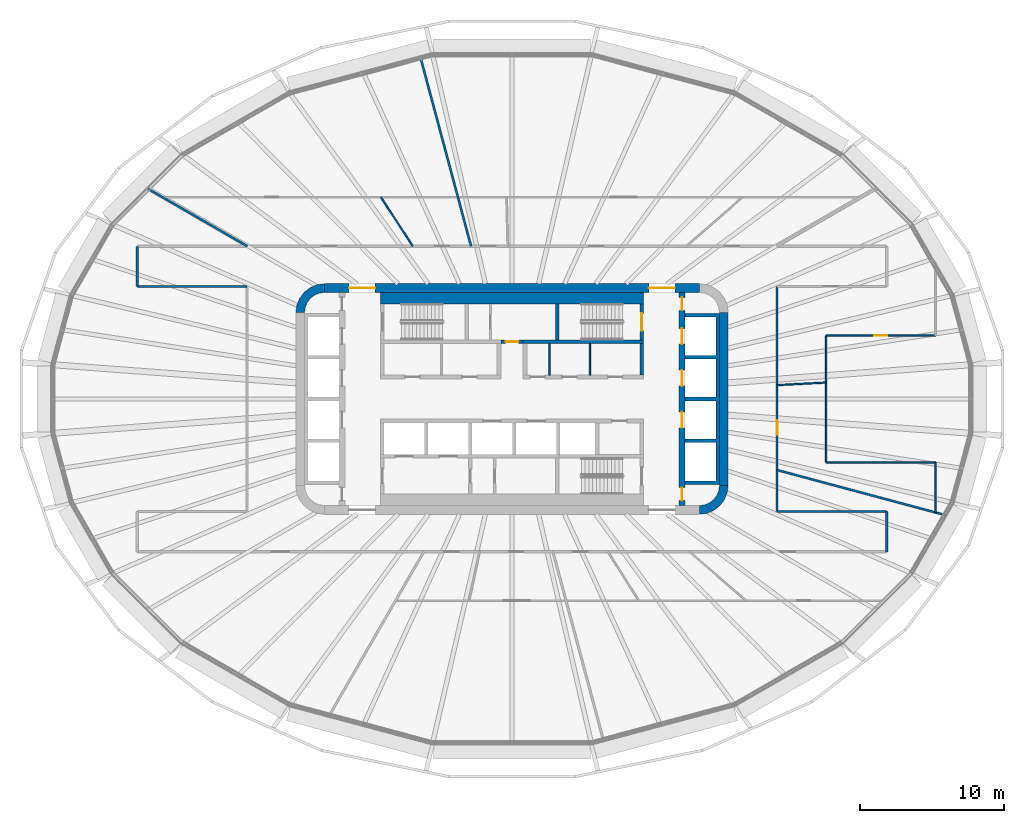
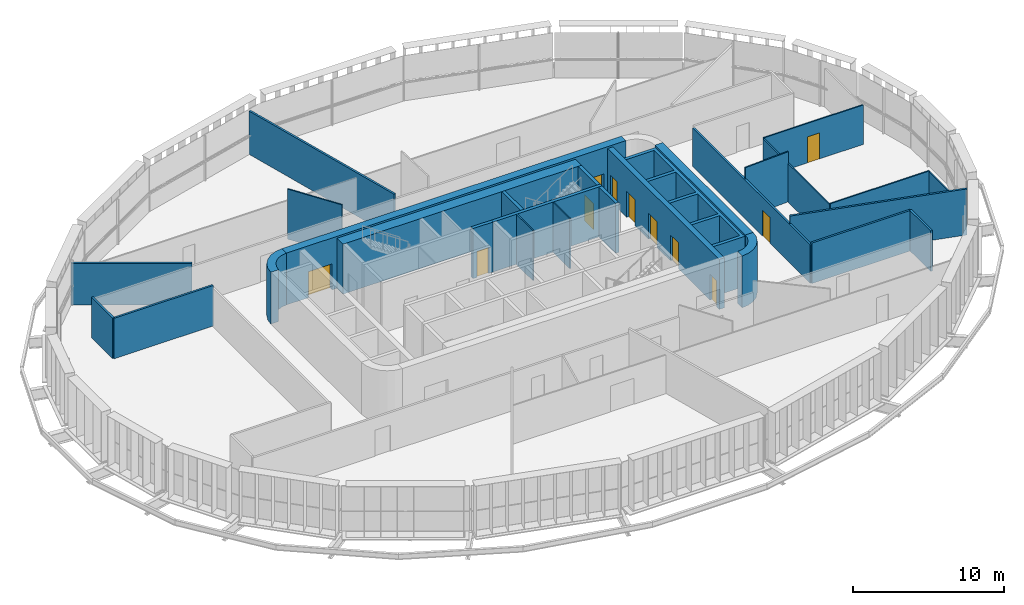
# One storey, part 16 of 25: 28 walls, 11 doors, 11 openings.
"""IFC4 building model written with IfcOpenShell, lengths in metres."""

from ifc_helpers import new_model, si_unit, direction, frame, frame_2d, origin, place, context, subcontext, project, spatial, polyline, rectangle, outline, extrude, material, layer, layer_set, type_object, element, fill, save


model = new_model("IFC4")

# Units and contexts
model_context = context("Model", 3, precision=1e-05, world=origin(), true_north=direction((0.0, 1.0)))
body_context = subcontext(model_context, "Body", "Model", "MODEL_VIEW")
ifc_project = project(units=[si_unit("LENGTHUNIT", "METRE"), si_unit("AREAUNIT", "SQUARE_METRE"), si_unit("VOLUMEUNIT", "CUBIC_METRE"), si_unit("PLANEANGLEUNIT", "RADIAN"), si_unit("MASSUNIT", "GRAM", prefix="KILO")], contexts=[model_context])

# Site, building, storey
site_placement = place(None, origin())
site = spatial("IfcSite", under=ifc_project, at=site_placement, CompositionType="ELEMENT")
building_placement = place(site_placement, origin())
building = spatial("IfcBuilding", under=site, at=building_placement, Name="Sahrelin Media Tower", CompositionType="ELEMENT")
storey_placement = place(building_placement, frame((0.0, 0.0, 106.199951171875)))
storey = spatial("IfcBuildingStorey", under=building, at=storey_placement, Name="L20", CompositionType="ELEMENT", Elevation=106.199951171875)

# Wall, openings, doors
ifc_material_1 = material(Name="Concrete C60/75", Category="concrete")
ifc_layer_1 = layer(ifc_material_1, 0.60009765625)
ifc_layer_set_1 = layer_set([ifc_layer_1], Name="Core wall 600")
wall_type_1 = type_object("IfcWallType", Name="Core wall 600", PredefinedType="SHEAR", material=ifc_layer_set_1)
wall_1_placement = place(storey_placement, frame((-13.0, 7.699951171875, 0.0), z_axis=(0.0, 0.0, 1.0), x_axis=(1.0, 0.0, 0.0)))
wall_1 = element("IfcWall", 1, at=wall_1_placement, inside=storey, type_object=wall_type_1, Name="Core wall N L20", PredefinedType="SHEAR", context=body_context, shape_type="SweptSolid", body=[
    extrude(rectangle(XDim=26.0, YDim=0.60009765625, at=frame_2d((13.0, 0.0))), origin(), (0.0, 0.0, 1.0), 4.199951171875),
])
opening_1_placement = place(wall_1_placement, frame((1.699951171875, 0.0, 0.0)))
opening_1 = element("IfcOpeningElement", 2, at=opening_1_placement, cuts=wall_1, Name="Opening L20-D19", PredefinedType="OPENING", context=body_context, shape_type="SweptSolid", body=[
    extrude(rectangle(XDim=1.800048828125, YDim=2.10009765625, at=frame_2d((0.89990234375, 1.050048828125))), frame((0.0, 0.300048828125, 0.0), z_axis=(0.0, -1.0, 0.0), x_axis=(1.0, 0.0, 0.0)), (0.0, 0.0, 1.0), 0.60009765625),
])
opening_2_placement = place(wall_1_placement, frame((22.5, 0.0, 0.0)))
opening_2 = element("IfcOpeningElement", 3, at=opening_2_placement, cuts=wall_1, Name="Opening L20-D20", PredefinedType="OPENING", context=body_context, shape_type="SweptSolid", body=[
    extrude(rectangle(XDim=1.800048828125, YDim=2.10009765625, at=frame_2d((0.89990234375, 1.050048828125))), frame((0.0, 0.300048828125, 0.0), z_axis=(0.0, -1.0, 0.0), x_axis=(1.0, 0.0, 0.0)), (0.0, 0.0, 1.0), 0.60009765625),
])
ifc_material_2 = material(Name="Steel fire door leaf", Category="steel")
door_type_1 = type_object("IfcDoorType", Name="Lobby double door 1800 x 2100 EI 60", OperationType="DOUBLE_DOOR_SINGLE_SWING", PredefinedType="DOOR", material=ifc_material_2)
door_1_placement = place(opening_1_placement, origin())
door_1 = element("IfcDoor", 4, at=door_1_placement, inside=storey, type_object=door_type_1, Name="Lobby door", OperationType="DOUBLE_DOOR_SINGLE_SWING", OverallHeight=2.10009765625, OverallWidth=1.800048828125, PredefinedType="DOOR", context=body_context, shape_type="SweptSolid", body=[
    extrude(rectangle(XDim=1.800048828125, YDim=2.10009765625, at=frame_2d((0.89990234375, 1.050048828125))), frame((0.0, 0.02490234375, 0.0), z_axis=(0.0, -1.0, 0.0), x_axis=(1.0, 0.0, 0.0)), (0.0, 0.0, 1.0), 0.050048828125),
])
fill(opening_1, door_1)
door_2_placement = place(opening_2_placement, origin())
door_2 = element("IfcDoor", 5, at=door_2_placement, inside=storey, type_object=door_type_1, Name="Lobby door", OperationType="DOUBLE_DOOR_SINGLE_SWING", OverallHeight=2.10009765625, OverallWidth=1.800048828125, PredefinedType="DOOR", context=body_context, shape_type="SweptSolid", body=[
    extrude(rectangle(XDim=1.800048828125, YDim=2.10009765625, at=frame_2d((0.89990234375, 1.050048828125))), frame((0.0, 0.02490234375, 0.0), z_axis=(0.0, -1.0, 0.0), x_axis=(1.0, 0.0, 0.0)), (0.0, 0.0, 1.0), 0.050048828125),
])
fill(opening_2, door_2)

# Walls
wall_2_placement = place(storey_placement, frame((14.699951171875, -6.0, 0.0), z_axis=(0.0, 0.0, 1.0), x_axis=(0.0, 1.0, 0.0)))
element("IfcWall", 6, at=wall_2_placement, inside=storey, type_object=wall_type_1, Name="Core wall E L20", PredefinedType="SHEAR", context=body_context, shape_type="SweptSolid", body=[
    extrude(rectangle(XDim=12.0, YDim=0.60009765625, at=frame_2d((6.0, 0.0))), origin(), (0.0, 0.0, 1.0), 4.199951171875),
])
placement = place(storey_placement, origin())
element("IfcWall", 7, at=placement, inside=storey, type_object=wall_type_1, Name="Core wall corner NW L20", PredefinedType="SHEAR", context=body_context, shape_type="SweptSolid", body=[
    extrude(outline(polyline([(-15.0, 6.0), (-14.394775390625, 6.0), (-14.347412109375, 6.361083984375), (-14.2080078125, 6.697509765625), (-13.986328125, 6.986328125), (-13.697509765625, 7.2080078125), (-13.361083984375, 7.347412109375), (-13.0, 7.394775390625), (-13.0, 8.0), (-13.517578125, 7.931884765625), (-14.0, 7.732177734375), (-14.414306640625, 7.414306640625), (-14.732177734375, 7.0), (-14.931884765625, 6.517578125), (-15.0, 6.0)])), origin(), (0.0, 0.0, 1.0), 4.199951171875),
])
element("IfcWall", 8, at=placement, inside=storey, type_object=wall_type_1, Name="Core wall corner SE L20", PredefinedType="SHEAR", context=body_context, shape_type="SweptSolid", body=[
    extrude(outline(polyline([(15.0, -6.0), (14.394775390625, -6.0), (14.347412109375, -6.361083984375), (14.2080078125, -6.697509765625), (13.986328125, -6.986328125), (13.697509765625, -7.2080078125), (13.361083984375, -7.347412109375), (13.0, -7.394775390625), (13.0, -8.0), (13.517578125, -7.931884765625), (14.0, -7.732177734375), (14.414306640625, -7.414306640625), (14.732177734375, -7.0), (14.931884765625, -6.517578125), (15.0, -6.0)])), origin(), (0.0, 0.0, 1.0), 4.199951171875),
])

# Wall, opening, door
ifc_material_3 = material(Name="Fire-rated gypsum board partition")
ifc_layer_2 = layer(ifc_material_3, 0.25)
ifc_layer_set_2 = layer_set([ifc_layer_2], Name="Fire-rated lobby wall 250")
wall_type_2 = type_object("IfcWallType", Name="Fire-rated lobby wall 250", PredefinedType="PARTITIONING", material=ifc_layer_set_2)
wall_5_placement = place(storey_placement, frame((-0.77490234375, 3.97509765625, 0.0), z_axis=(0.0, 0.0, 1.0), x_axis=(1.0, 0.0, 0.0)))
wall_5 = element("IfcWall", 9, at=wall_5_placement, inside=storey, type_object=wall_type_2, Name="Core lobby wall", PredefinedType="PARTITIONING", context=body_context, shape_type="SweptSolid", body=[
    extrude(rectangle(XDim=1.5498046875, YDim=0.25, at=frame_2d((0.77490234375, 0.0))), origin(), (0.0, 0.0, 1.0), 4.050048828125),
])
opening_3_placement = place(wall_5_placement, frame((0.324951171875, 0.0, 0.0)))
opening_3 = element("IfcOpeningElement", 10, at=opening_3_placement, cuts=wall_5, Name="Opening L20-D06", PredefinedType="OPENING", context=body_context, shape_type="SweptSolid", body=[
    extrude(rectangle(XDim=0.89990234375, YDim=2.10009765625, at=frame_2d((0.449951171875, 1.050048828125))), frame((0.0, 0.125, 0.0), z_axis=(0.0, -1.0, 0.0), x_axis=(1.0, 0.0, 0.0)), (0.0, 0.0, 1.0), 0.25),
])
door_type_2 = type_object("IfcDoorType", Name="Riser door 900 x 2100 EI 120", OperationType="NOTDEFINED", PredefinedType="DOOR", material=ifc_material_2)
door_3_placement = place(opening_3_placement, origin())
door_3 = element("IfcDoor", 11, at=door_3_placement, inside=storey, type_object=door_type_2, Name="Core room door", OperationType="SINGLE_SWING_LEFT", OverallHeight=2.10009765625, OverallWidth=0.89990234375, PredefinedType="DOOR", context=body_context, shape_type="SweptSolid", body=[
    extrude(rectangle(XDim=0.89990234375, YDim=2.10009765625, at=frame_2d((0.449951171875, 1.050048828125))), frame((0.0, 0.02490234375, 0.0), z_axis=(0.0, -1.0, 0.0), x_axis=(1.0, 0.0, 0.0)), (0.0, 0.0, 1.0), 0.050048828125),
])
fill(opening_3, door_3)

# Walls
wall_6_placement = place(storey_placement, frame((9.0, 1.64990234375, 0.0), z_axis=(0.0, 0.0, 1.0), x_axis=(0.0, 1.0, 0.0)))
element("IfcWall", 12, at=wall_6_placement, inside=storey, type_object=wall_type_2, Name="Core lobby wall", PredefinedType="PARTITIONING", context=body_context, shape_type="SweptSolid", body=[
    extrude(rectangle(XDim=2.2001953125, YDim=0.25, at=frame_2d((1.10009765625, 0.0))), origin(), (0.0, 0.0, 1.0), 4.050048828125),
])
ifc_layer_3 = layer(ifc_material_3, 0.10009765625)
ifc_layer_set_3 = layer_set([ifc_layer_3], Name="Fire-rated partition 100")
wall_type_3 = type_object("IfcWallType", Name="Fire-rated partition 100", PredefinedType="PARTITIONING", material=ifc_layer_set_3)
for number, where, z_axis, x_axis, name in (
    (13, (2.60009765625, 1.64990234375, 0.0), (0.0, 0.0, 1.0), (0.0, 1.0, 0.0), "Core room partition"),
    (14, (5.39990234375, 1.64990234375, 0.0), (0.0, 0.0, 1.0), (0.0, 1.0, 0.0), "Core room partition"),
):
    element("IfcWall", number, at=place(storey_placement, frame(where, z_axis=z_axis, x_axis=x_axis)), inside=storey, type_object=wall_type_3, Name=name, PredefinedType="PARTITIONING", context=body_context, shape_type="SweptSolid", body=[
        extrude(rectangle(XDim=2.2001953125, YDim=0.10009765625, at=frame_2d((1.10009765625, 0.0))), origin(), (0.0, 0.0, 1.0), 4.050048828125),
    ])
ifc_layer_4 = layer(ifc_material_3, 0.14990234375)
ifc_layer_set_4 = layer_set([ifc_layer_4], Name="Fire-rated partition 150")
wall_type_4 = type_object("IfcWallType", Name="Fire-rated partition 150", PredefinedType="PARTITIONING", material=ifc_layer_set_4)
wall_7_placement = place(storey_placement, frame((-6.364990234375, 23.75390625, 0.0), z_axis=(0.0, 0.0, 1.0), x_axis=(0.258843021616, -0.965919401483, 0.0)))
element("IfcWall", 15, at=wall_7_placement, inside=storey, type_object=wall_type_4, Name="Wall", PredefinedType="PARTITIONING", context=body_context, shape_type="SweptSolid", body=[
    extrude(rectangle(XDim=13.617919921875, YDim=0.14990234375, at=frame_2d((6.80908203125, 0.0))), origin(), (0.0, 0.0, 1.0), 3.501708984375),
])
wall_8_placement = place(storey_placement, frame((-25.322021484375, 14.618896484375, 0.0), z_axis=(0.0, 0.0, 1.0), x_axis=(0.866017655369, -0.500013420409, 0.0)))
element("IfcWall", 16, at=wall_8_placement, inside=storey, type_object=wall_type_4, Name="Wall", PredefinedType="PARTITIONING", context=body_context, shape_type="SweptSolid", body=[
    extrude(rectangle(XDim=8.037841796875, YDim=0.14990234375, at=frame_2d((4.01904296875, 0.0))), origin(), (0.0, 0.0, 1.0), 3.352294921875),
])
wall_9_placement = place(storey_placement, frame((18.39990234375, -4.929931640625, 0.0), z_axis=(0.0, 0.0, 1.0), x_axis=(0.965910063501, -0.258877865465, 0.0)))
element("IfcWall", 17, at=wall_9_placement, inside=storey, type_object=wall_type_4, Name="Wall", PredefinedType="PARTITIONING", context=body_context, shape_type="SweptSolid", body=[
    extrude(rectangle(XDim=12.164794921875, YDim=0.14990234375, at=frame_2d((6.08251953125, 0.0))), origin(), (0.0, 0.0, 1.0), 3.7265625),
])
for number, where, z_axis, x_axis, name in (
    (18, (18.39990234375, -7.800048828125, 0.0), (0.0, 0.0, 1.0), (1.0, 0.0, 0.0), "Wall"),
    (19, (-26.0, 7.800048828125, 0.0), (0.0, 0.0, 1.0), (1.0, 0.0, 0.0), "Wall"),
):
    element("IfcWall", number, at=place(storey_placement, frame(where, z_axis=z_axis, x_axis=x_axis)), inside=storey, type_object=wall_type_4, Name=name, PredefinedType="PARTITIONING", context=body_context, shape_type="SweptSolid", body=[
        extrude(rectangle(XDim=7.60009765625, YDim=0.14990234375, at=frame_2d((3.800048828125, 0.0))), origin(), (0.0, 0.0, 1.0), 3.276123046875),
    ])
wall_10_placement = place(storey_placement, frame((26.0, -10.60009765625, 0.0), z_axis=(0.0, 0.0, 1.0), x_axis=(0.0, 1.0, 0.0)))
element("IfcWall", 20, at=wall_10_placement, inside=storey, type_object=wall_type_4, Name="Wall", PredefinedType="PARTITIONING", context=body_context, shape_type="SweptSolid", body=[
    extrude(rectangle(XDim=2.800048828125, YDim=0.14990234375, at=frame_2d((1.39990234375, 0.0))), origin(), (0.0, 0.0, 1.0), 3.276123046875),
])

# Wall, opening, door
wall_11_placement = place(storey_placement, frame((18.39990234375, -7.800048828125, 0.0), z_axis=(0.0, 0.0, 1.0), x_axis=(0.0, 1.0, 0.0)))
wall_11 = element("IfcWall", 21, at=wall_11_placement, inside=storey, type_object=wall_type_4, Name="Wall", PredefinedType="PARTITIONING", context=body_context, shape_type="SweptSolid", body=[
    extrude(rectangle(XDim=15.60009765625, YDim=0.14990234375, at=frame_2d((7.800048828125, 0.0))), origin(), (0.0, 0.0, 1.0), 3.1181640625),
])
opening_4_placement = place(wall_11_placement, frame((5.31689453125, 0.0, 0.0)))
opening_4 = element("IfcOpeningElement", 22, at=opening_4_placement, cuts=wall_11, Name="Opening L20-D38", PredefinedType="OPENING", context=body_context, shape_type="SweptSolid", body=[
    extrude(rectangle(XDim=1.0, YDim=2.10009765625, at=frame_2d((0.5, 1.050048828125))), frame((0.0, 0.074951171875, 0.0), z_axis=(0.0, -1.0, 0.0), x_axis=(1.0, 0.0, 0.0)), (0.0, 0.0, 1.0), 0.14990234375),
])
door_type_3 = type_object("IfcDoorType", Name="Fire door 1000 x 2100 EI 60", OperationType="NOTDEFINED", PredefinedType="DOOR", material=ifc_material_2)
door_4_placement = place(opening_4_placement, origin())
door_4 = element("IfcDoor", 23, at=door_4_placement, inside=storey, type_object=door_type_3, Name="Fire door", OperationType="SINGLE_SWING_RIGHT", OverallHeight=2.10009765625, OverallWidth=1.0, PredefinedType="DOOR", context=body_context, shape_type="SweptSolid", body=[
    extrude(rectangle(XDim=1.0, YDim=2.10009765625, at=frame_2d((0.5, 1.050048828125))), frame((0.0, 0.02490234375, 0.0), z_axis=(0.0, -1.0, 0.0), x_axis=(1.0, 0.0, 0.0)), (0.0, 0.0, 1.0), 0.050048828125),
])
fill(opening_4, door_4)

# Walls
wall_12_placement = place(storey_placement, frame((-26.0, 7.800048828125, 0.0), z_axis=(0.0, 0.0, 1.0), x_axis=(0.0, 1.0, 0.0)))
element("IfcWall", 24, at=wall_12_placement, inside=storey, type_object=wall_type_4, Name="Wall", PredefinedType="PARTITIONING", context=body_context, shape_type="SweptSolid", body=[
    extrude(rectangle(XDim=2.800048828125, YDim=0.14990234375, at=frame_2d((1.39990234375, 0.0))), origin(), (0.0, 0.0, 1.0), 3.276123046875),
])
ifc_layer_5 = layer(ifc_material_1, 0.25)
ifc_layer_set_5 = layer_set([ifc_layer_5], Name="Lift shaft wall 250")
wall_type_5 = type_object("IfcWallType", Name="Lift shaft wall 250", PredefinedType="SOLIDWALL", material=ifc_layer_set_5)
element("IfcWall", 25, at=placement, inside=storey, type_object=wall_type_5, Name="Lift shaft wall", PredefinedType="SOLIDWALL", context=body_context, shape_type="SweptSolid", body=[
    extrude(outline(polyline([(12.0, -5.675048828125), (12.0, -5.925048828125), (14.14990234375, -5.925048828125), (14.39990234375, -5.925048828125), (14.39990234375, -5.675048828125), (14.39990234375, -3.02490234375), (14.39990234375, -2.77490234375), (14.39990234375, -0.125), (14.39990234375, 0.125), (14.39990234375, 2.77490234375), (14.39990234375, 3.02490234375), (14.39990234375, 5.675048828125), (14.39990234375, 5.925048828125), (14.14990234375, 5.925048828125), (12.0, 5.925048828125), (12.0, 5.675048828125), (14.14990234375, 5.675048828125), (14.14990234375, 3.02490234375), (12.0, 3.02490234375), (12.0, 2.77490234375), (14.14990234375, 2.77490234375), (14.14990234375, 0.125), (12.0, 0.125), (12.0, -0.125), (14.14990234375, -0.125), (14.14990234375, -2.77490234375), (12.0, -2.77490234375), (12.0, -3.02490234375), (14.14990234375, -3.02490234375), (14.14990234375, -5.675048828125), (12.0, -5.675048828125)])), origin(), (0.0, 0.0, 1.0), 4.050048828125),
])

# Wall, openings, doors
ifc_layer_6 = layer(ifc_material_1, 0.39990234375)
ifc_layer_set_6 = layer_set([ifc_layer_6], Name="Lift shaft wall 400")
wall_type_6 = type_object("IfcWallType", Name="Lift shaft wall 400", PredefinedType="SOLIDWALL", material=ifc_layer_set_6)
wall_14_placement = place(storey_placement, frame((11.800048828125, -7.39990234375, 0.0), z_axis=(0.0, 0.0, 1.0), x_axis=(0.0, 1.0, 0.0)))
wall_14 = element("IfcWall", 26, at=wall_14_placement, inside=storey, type_object=wall_type_6, Name="Lift shaft wall", PredefinedType="SOLIDWALL", context=body_context, shape_type="SweptSolid", body=[
    extrude(rectangle(XDim=14.7998046875, YDim=0.39990234375, at=frame_2d((7.39990234375, 0.0))), origin(), (0.0, 0.0, 1.0), 4.050048828125),
])
opening_5_placement = place(wall_14_placement, frame((11.199951171875, 0.0, 0.0)))
opening_5 = element("IfcOpeningElement", 27, at=opening_5_placement, cuts=wall_14, Name="Opening L20-LD-LR4", PredefinedType="OPENING", context=body_context, shape_type="SweptSolid", body=[
    extrude(rectangle(XDim=1.10009765625, YDim=2.10009765625, at=frame_2d((0.550048828125, 1.050048828125))), frame((0.0, 0.199951171875, 0.0), z_axis=(0.0, -1.0, 0.0), x_axis=(1.0, 0.0, 0.0)), (0.0, 0.0, 1.0), 0.39990234375),
])
opening_6_placement = place(wall_14_placement, frame((8.300048828125, 0.0, 0.0)))
opening_6 = element("IfcOpeningElement", 28, at=opening_6_placement, cuts=wall_14, Name="Opening L20-LD-LR5", PredefinedType="OPENING", context=body_context, shape_type="SweptSolid", body=[
    extrude(rectangle(XDim=1.10009765625, YDim=2.10009765625, at=frame_2d((0.550048828125, 1.050048828125))), frame((0.0, 0.199951171875, 0.0), z_axis=(0.0, -1.0, 0.0), x_axis=(1.0, 0.0, 0.0)), (0.0, 0.0, 1.0), 0.39990234375),
])
opening_7_placement = place(wall_14_placement, frame((5.39990234375, 0.0, 0.0)))
opening_7 = element("IfcOpeningElement", 29, at=opening_7_placement, cuts=wall_14, Name="Opening L20-LD-LR6", PredefinedType="OPENING", context=body_context, shape_type="SweptSolid", body=[
    extrude(rectangle(XDim=1.10009765625, YDim=2.10009765625, at=frame_2d((0.550048828125, 1.050048828125))), frame((0.0, 0.199951171875, 0.0), z_axis=(0.0, -1.0, 0.0), x_axis=(1.0, 0.0, 0.0)), (0.0, 0.0, 1.0), 0.39990234375),
])
opening_8_placement = place(wall_14_placement, frame((13.552490234375, 0.0, 0.0)))
opening_8 = element("IfcOpeningElement", 30, at=opening_8_placement, cuts=wall_14, Name="Opening L20-D17", PredefinedType="OPENING", context=body_context, shape_type="SweptSolid", body=[
    extrude(rectangle(XDim=0.89990234375, YDim=2.10009765625, at=frame_2d((0.449951171875, 1.050048828125))), frame((0.0, 0.199951171875, 0.0), z_axis=(0.0, -1.0, 0.0), x_axis=(1.0, 0.0, 0.0)), (0.0, 0.0, 1.0), 0.39990234375),
])
opening_9_placement = place(wall_14_placement, frame((0.347412109375, 0.0, 0.0)))
opening_9 = element("IfcOpeningElement", 31, at=opening_9_placement, cuts=wall_14, Name="Opening L20-D18", PredefinedType="OPENING", context=body_context, shape_type="SweptSolid", body=[
    extrude(rectangle(XDim=0.89990234375, YDim=2.10009765625, at=frame_2d((0.449951171875, 1.050048828125))), frame((0.0, 0.199951171875, 0.0), z_axis=(0.0, -1.0, 0.0), x_axis=(1.0, 0.0, 0.0)), (0.0, 0.0, 1.0), 0.39990234375),
])
ifc_material_4 = material(Name="Stainless steel", Category="steel")
door_type_4 = type_object("IfcDoorType", Name="Lift landing door 1100 x 2100 EI 120", OperationType="DOUBLE_DOOR_SLIDING", PredefinedType="DOOR", material=ifc_material_4)
door_5_placement = place(opening_5_placement, origin())
door_5 = element("IfcDoor", 32, at=door_5_placement, inside=storey, type_object=door_type_4, Name="Lift landing door LR4", OperationType="DOUBLE_DOOR_SLIDING", OverallHeight=2.10009765625, OverallWidth=1.10009765625, PredefinedType="DOOR", context=body_context, shape_type="SweptSolid", body=[
    extrude(rectangle(XDim=1.10009765625, YDim=2.10009765625, at=frame_2d((0.550048828125, 1.050048828125))), frame((0.0, 0.02490234375, 0.0), z_axis=(0.0, -1.0, 0.0), x_axis=(1.0, 0.0, 0.0)), (0.0, 0.0, 1.0), 0.050048828125),
])
fill(opening_5, door_5)
door_6_placement = place(opening_6_placement, origin())
door_6 = element("IfcDoor", 33, at=door_6_placement, inside=storey, type_object=door_type_4, Name="Lift landing door LR5", OperationType="DOUBLE_DOOR_SLIDING", OverallHeight=2.10009765625, OverallWidth=1.10009765625, PredefinedType="DOOR", context=body_context, shape_type="SweptSolid", body=[
    extrude(rectangle(XDim=1.10009765625, YDim=2.10009765625, at=frame_2d((0.550048828125, 1.050048828125))), frame((0.0, 0.02490234375, 0.0), z_axis=(0.0, -1.0, 0.0), x_axis=(1.0, 0.0, 0.0)), (0.0, 0.0, 1.0), 0.050048828125),
])
fill(opening_6, door_6)
door_7_placement = place(opening_7_placement, origin())
door_7 = element("IfcDoor", 34, at=door_7_placement, inside=storey, type_object=door_type_4, Name="Lift landing door LR6", OperationType="DOUBLE_DOOR_SLIDING", OverallHeight=2.10009765625, OverallWidth=1.10009765625, PredefinedType="DOOR", context=body_context, shape_type="SweptSolid", body=[
    extrude(rectangle(XDim=1.10009765625, YDim=2.10009765625, at=frame_2d((0.550048828125, 1.050048828125))), frame((0.0, 0.02490234375, 0.0), z_axis=(0.0, -1.0, 0.0), x_axis=(1.0, 0.0, 0.0)), (0.0, 0.0, 1.0), 0.050048828125),
])
fill(opening_7, door_7)
door_8_placement = place(opening_8_placement, origin())
door_8 = element("IfcDoor", 35, at=door_8_placement, inside=storey, type_object=door_type_2, Name="Riser door", OperationType="SINGLE_SWING_RIGHT", OverallHeight=2.10009765625, OverallWidth=0.89990234375, PredefinedType="DOOR", context=body_context, shape_type="SweptSolid", body=[
    extrude(rectangle(XDim=0.89990234375, YDim=2.10009765625, at=frame_2d((0.449951171875, 1.050048828125))), frame((0.0, 0.02490234375, 0.0), z_axis=(0.0, -1.0, 0.0), x_axis=(1.0, 0.0, 0.0)), (0.0, 0.0, 1.0), 0.050048828125),
])
fill(opening_8, door_8)
door_9_placement = place(opening_9_placement, origin())
door_9 = element("IfcDoor", 36, at=door_9_placement, inside=storey, type_object=door_type_2, Name="Riser door", OperationType="SINGLE_SWING_RIGHT", OverallHeight=2.10009765625, OverallWidth=0.89990234375, PredefinedType="DOOR", context=body_context, shape_type="SweptSolid", body=[
    extrude(rectangle(XDim=0.89990234375, YDim=2.10009765625, at=frame_2d((0.449951171875, 1.050048828125))), frame((0.0, 0.02490234375, 0.0), z_axis=(0.0, -1.0, 0.0), x_axis=(1.0, 0.0, 0.0)), (0.0, 0.0, 1.0), 0.050048828125),
])
fill(opening_9, door_9)

# Walls
ifc_material_5 = material(Name="Gypsum board partition")
ifc_layer_7 = layer(ifc_material_5, 0.10009765625)
ifc_layer_set_7 = layer_set([ifc_layer_7], Name="Partition 100")
wall_type_7 = type_object("IfcWallType", Name="Partition 100", PredefinedType="PARTITIONING", material=ifc_layer_set_7)
wall_15_placement = place(storey_placement, frame((-9.092041015625, 14.0, 0.0), z_axis=(0.0, 0.0, 1.0), x_axis=(0.54465385443, -0.838660943918, 0.0)))
element("IfcWall", 37, at=wall_15_placement, inside=storey, type_object=wall_type_7, Name="Wall", PredefinedType="PARTITIONING", context=body_context, shape_type="SweptSolid", body=[
    extrude(rectangle(XDim=4.053955078125, YDim=0.10009765625, at=frame_2d((2.02685546875, 0.0))), origin(), (0.0, 0.0, 1.0), 4.050048828125),
])
wall_16_placement = place(storey_placement, frame((21.800048828125, -4.39990234375, 0.0), z_axis=(0.0, 0.0, 1.0), x_axis=(1.0, 0.0, 0.0)))
element("IfcWall", 38, at=wall_16_placement, inside=storey, type_object=wall_type_7, Name="Wall", PredefinedType="PARTITIONING", context=body_context, shape_type="SweptSolid", body=[
    extrude(rectangle(XDim=7.599853515625, YDim=0.10009765625, at=frame_2d((3.7998046875, 0.0))), origin(), (0.0, 0.0, 1.0), 3.195068359375),
])

# Wall, opening, door
wall_17_placement = place(storey_placement, frame((21.800048828125, 4.39990234375, 0.0), z_axis=(0.0, 0.0, 1.0), x_axis=(1.0, 0.0, 0.0)))
wall_17 = element("IfcWall", 39, at=wall_17_placement, inside=storey, type_object=wall_type_7, Name="Wall", PredefinedType="PARTITIONING", context=body_context, shape_type="SweptSolid", body=[
    extrude(rectangle(XDim=7.599853515625, YDim=0.10009765625, at=frame_2d((3.7998046875, 0.0))), origin(), (0.0, 0.0, 1.0), 3.195068359375),
])
opening_10_placement = place(wall_17_placement, frame((3.35009765625, 0.0, 0.0)))
opening_10 = element("IfcOpeningElement", 40, at=opening_10_placement, cuts=wall_17, Name="Opening L20-D40", PredefinedType="OPENING", context=body_context, shape_type="SweptSolid", body=[
    extrude(rectangle(XDim=0.89990234375, YDim=2.10009765625, at=frame_2d((0.449951171875, 1.050048828125))), frame((0.0, 0.050048828125, 0.0), z_axis=(0.0, -1.0, 0.0), x_axis=(1.0, 0.0, 0.0)), (0.0, 0.0, 1.0), 0.10009765625),
])
ifc_material_6 = material(Name="Timber door leaf", Category="wood")
door_type_5 = type_object("IfcDoorType", Name="Single door 900 x 2100", OperationType="NOTDEFINED", PredefinedType="DOOR", material=ifc_material_6)
door_10_placement = place(opening_10_placement, origin())
door_10 = element("IfcDoor", 41, at=door_10_placement, inside=storey, type_object=door_type_5, Name="Single door", OperationType="SINGLE_SWING_RIGHT", OverallHeight=2.10009765625, OverallWidth=0.89990234375, PredefinedType="DOOR", context=body_context, shape_type="SweptSolid", body=[
    extrude(rectangle(XDim=0.89990234375, YDim=2.10009765625, at=frame_2d((0.449951171875, 1.050048828125))), frame((0.0, 0.02490234375, 0.0), z_axis=(0.0, -1.0, 0.0), x_axis=(1.0, 0.0, 0.0)), (0.0, 0.0, 1.0), 0.050048828125),
])
fill(opening_10, door_10)

# Walls
wall_18_placement = place(storey_placement, frame((18.39990234375, 0.964111328125, 0.0), z_axis=(0.0, 0.0, 1.0), x_axis=(0.998632842418, 0.052272804058, 0.0)))
element("IfcWall", 42, at=wall_18_placement, inside=storey, type_object=wall_type_7, Name="Wall", PredefinedType="PARTITIONING", context=body_context, shape_type="SweptSolid", body=[
    extrude(rectangle(XDim=3.40478515625, YDim=0.10009765625, at=frame_2d((1.702392578125, 0.0))), origin(), (0.0, 0.0, 1.0), 4.050048828125),
])
wall_19_placement = place(storey_placement, frame((29.39990234375, -7.8779296875, 0.0), z_axis=(0.0, 0.0, 1.0), x_axis=(0.0, 1.0, 0.0)))
element("IfcWall", 43, at=wall_19_placement, inside=storey, type_object=wall_type_7, Name="Wall", PredefinedType="PARTITIONING", context=body_context, shape_type="SweptSolid", body=[
    extrude(rectangle(XDim=3.47802734375, YDim=0.10009765625, at=frame_2d((1.739013671875, 0.0))), origin(), (0.0, 0.0, 1.0), 3.126953125),
])
wall_20_placement = place(storey_placement, frame((21.800048828125, -4.39990234375, 0.0), z_axis=(0.0, 0.0, 1.0), x_axis=(0.0, 1.0, 0.0)))
element("IfcWall", 44, at=wall_20_placement, inside=storey, type_object=wall_type_7, Name="Wall", PredefinedType="PARTITIONING", context=body_context, shape_type="SweptSolid", body=[
    extrude(rectangle(XDim=8.7998046875, YDim=0.10009765625, at=frame_2d((4.39990234375, 0.0))), origin(), (0.0, 0.0, 1.0), 3.1181640625),
])

# Wall, opening, door
ifc_layer_8 = layer(ifc_material_1, 0.25)
ifc_layer_set_8 = layer_set([ifc_layer_8], Name="Stair enclosure wall 250")
wall_type_8 = type_object("IfcWallType", Name="Stair enclosure wall 250", PredefinedType="SOLIDWALL", material=ifc_layer_set_8)
wall_21_placement = place(storey_placement, frame((9.0, 4.10009765625, 0.0), z_axis=(0.0, 0.0, 1.0), x_axis=(0.0, 1.0, 0.0)))
wall_21 = element("IfcWall", 45, at=wall_21_placement, inside=storey, type_object=wall_type_8, Name="Stair enclosure wall", PredefinedType="SOLIDWALL", context=body_context, shape_type="SweptSolid", body=[
    extrude(rectangle(XDim=2.5, YDim=0.25, at=frame_2d((1.25, 0.0))), origin(), (0.0, 0.0, 1.0), 4.050048828125),
])
opening_11_placement = place(wall_21_placement, frame((0.64990234375, 0.0, 0.0)))
opening_11 = element("IfcOpeningElement", 46, at=opening_11_placement, cuts=wall_21, Name="Opening L20-D02", PredefinedType="OPENING", context=body_context, shape_type="SweptSolid", body=[
    extrude(rectangle(XDim=1.199951171875, YDim=2.10009765625, at=frame_2d((0.60009765625, 1.050048828125))), frame((0.0, 0.125, 0.0), z_axis=(0.0, -1.0, 0.0), x_axis=(1.0, 0.0, 0.0)), (0.0, 0.0, 1.0), 0.25),
])
door_type_6 = type_object("IfcDoorType", Name="Stair door 1200 x 2100 EI 120", OperationType="NOTDEFINED", PredefinedType="DOOR", material=ifc_material_2)
door_11_placement = place(opening_11_placement, origin())
door_11 = element("IfcDoor", 47, at=door_11_placement, inside=storey, type_object=door_type_6, Name="Stair door ST3", OperationType="SINGLE_SWING_LEFT", OverallHeight=2.10009765625, OverallWidth=1.199951171875, PredefinedType="DOOR", context=body_context, shape_type="SweptSolid", body=[
    extrude(rectangle(XDim=1.199951171875, YDim=2.10009765625, at=frame_2d((0.60009765625, 1.050048828125))), frame((0.0, 0.02490234375, 0.0), z_axis=(0.0, -1.0, 0.0), x_axis=(1.0, 0.0, 0.0)), (0.0, 0.0, 1.0), 0.050048828125),
])
fill(opening_11, door_11)

# Walls
wall_22_placement = place(storey_placement, frame((3.14990234375, 4.10009765625, 0.0), z_axis=(0.0, 0.0, 1.0), x_axis=(0.0, 1.0, 0.0)))
element("IfcWall", 48, at=wall_22_placement, inside=storey, type_object=wall_type_8, Name="Stair enclosure wall", PredefinedType="SOLIDWALL", context=body_context, shape_type="SweptSolid", body=[
    extrude(rectangle(XDim=2.5, YDim=0.25, at=frame_2d((1.25, 0.0))), origin(), (0.0, 0.0, 1.0), 4.050048828125),
])
wall_23_placement = place(storey_placement, frame((0.77490234375, 3.97509765625, 0.0), z_axis=(0.0, 0.0, 1.0), x_axis=(1.0, 0.0, 0.0)))
element("IfcWall", 49, at=wall_23_placement, inside=storey, type_object=wall_type_8, Name="Stair enclosure wall", PredefinedType="SOLIDWALL", context=body_context, shape_type="SweptSolid", body=[
    extrude(rectangle(XDim=8.35009765625, YDim=0.25, at=frame_2d((4.175048828125, 0.0))), origin(), (0.0, 0.0, 1.0), 4.050048828125),
])
ifc_layer_9 = layer(ifc_material_1, 0.800048828125)
ifc_layer_set_9 = layer_set([ifc_layer_9], Name="Stair enclosure wall 800")
wall_type_9 = type_object("IfcWallType", Name="Stair enclosure wall 800", PredefinedType="SOLIDWALL", material=ifc_layer_set_9)
wall_24_placement = place(storey_placement, frame((-9.125, 7.0, 0.0), z_axis=(0.0, 0.0, 1.0), x_axis=(1.0, 0.0, 0.0)))
element("IfcWall", 50, at=wall_24_placement, inside=storey, type_object=wall_type_9, Name="Stair enclosure wall", PredefinedType="SOLIDWALL", context=body_context, shape_type="SweptSolid", body=[
    extrude(rectangle(XDim=18.25, YDim=0.800048828125, at=frame_2d((9.125, 0.0))), origin(), (0.0, 0.0, 1.0), 4.050048828125),
])

save(model, "model.ifc")
